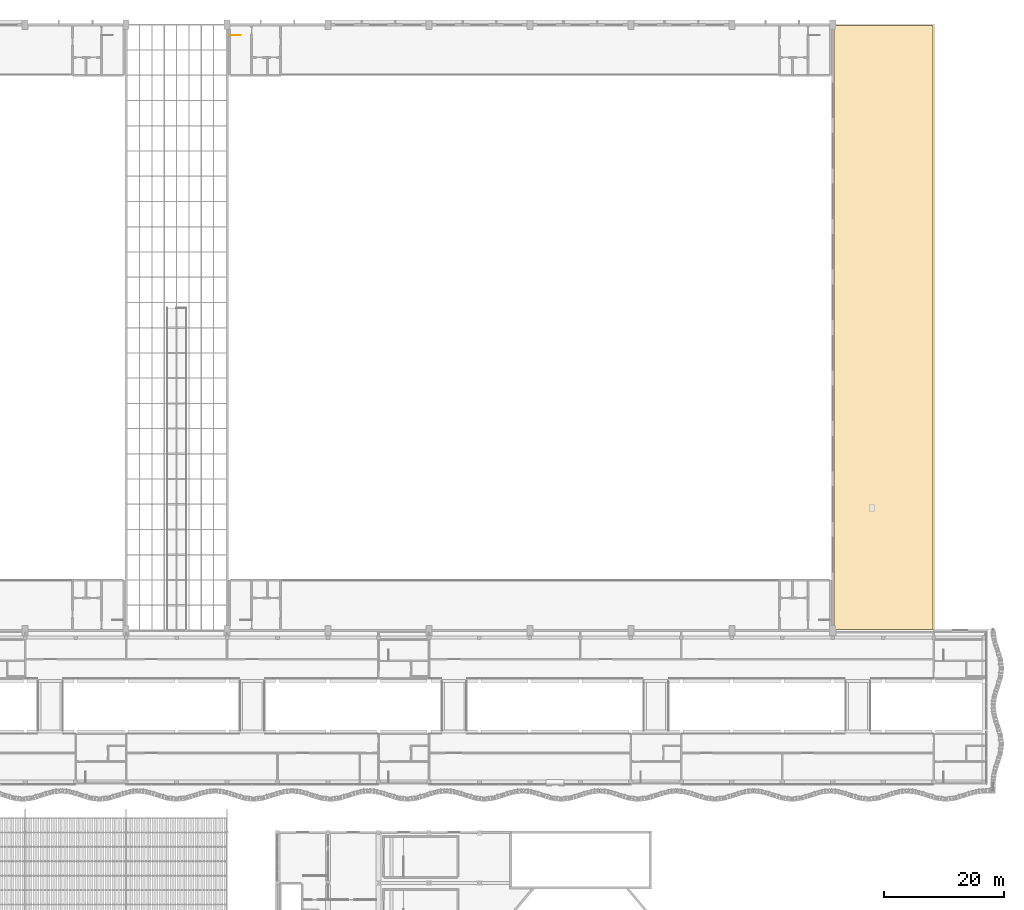
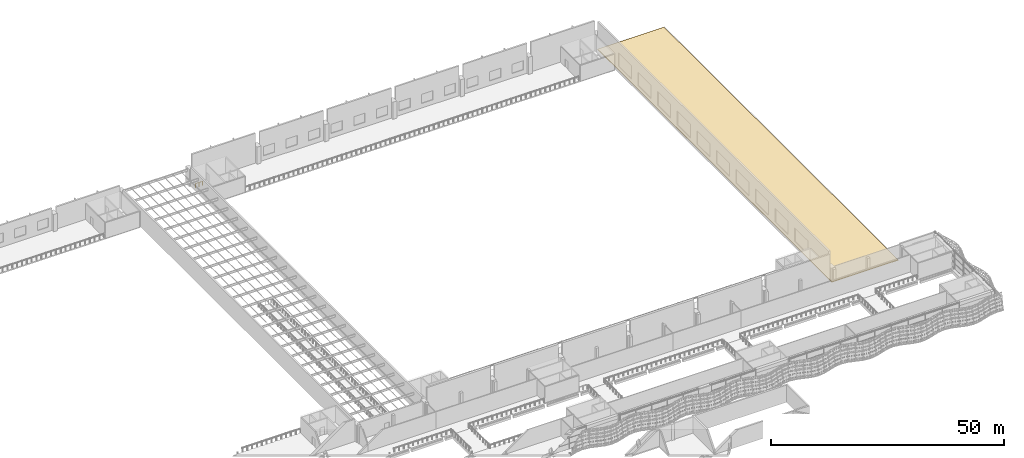
# One storey, part 157 of 162: 1 covering, 1 railing.
"""IFC4 building model written with IfcOpenShell, lengths in metres."""

from ifc_helpers import new_model, si_unit, direction, frame, origin, origin_2d, place, context, subcontext, project, spatial, polyline, circle, outline, extrude, material, layer, layer_set, type_object, element, save


model = new_model("IFC4")

# Units and contexts
model_context = context("Model", 3, precision=1e-05, world=origin(), true_north=direction((0.0, 1.0)))
body_context = subcontext(model_context, "Body", "Model", "MODEL_VIEW")
ifc_project = project(units=[si_unit("LENGTHUNIT", "METRE"), si_unit("AREAUNIT", "SQUARE_METRE"), si_unit("VOLUMEUNIT", "CUBIC_METRE"), si_unit("PLANEANGLEUNIT", "RADIAN"), si_unit("MASSUNIT", "GRAM", prefix="KILO")], contexts=[model_context])

# Site, building, storey
site_placement = place(None, origin())
site = spatial("IfcSite", under=ifc_project, at=site_placement, CompositionType="ELEMENT")
building_placement = place(site_placement, origin())
building = spatial("IfcBuilding", under=site, at=building_placement, Name="Rain Tree Exposition and Congress Centre", CompositionType="ELEMENT")
storey_placement = place(building_placement, frame((0.0, 0.0, 6.0)))
storey = spatial("IfcBuildingStorey", under=building, at=storey_placement, Name="L01", CompositionType="ELEMENT", Elevation=6.0)

# Covering
ifc_material_1 = material(Name="Planting substrate", Category="soil")
ifc_layer = layer(ifc_material_1, 0.14990234375)
ifc_layer_set = layer_set([ifc_layer], Name="Planting substrate")
covering_type = type_object("IfcCoveringType", Name="Planting substrate layer 150", PredefinedType="ROOFING", material=ifc_layer_set)
covering_placement = place(storey_placement, origin())
element("IfcCovering", 1, at=covering_placement, inside=storey, type_object=covering_type, Name="Planted roof substrate", PredefinedType="ROOFING", context=body_context, shape_type="SweptSolid", body=[
    extrude(outline(polyline([(243.800048828125, 100.949951171875), (260.25, 100.949951171875), (260.25, 201.449951171875), (243.800048828125, 201.449951171875), (243.800048828125, 100.949951171875)])), origin(), (0.0, 0.0, 1.0), 0.14990234375),
])

# Railing
ifc_material_2 = material(Name="Steel S355J2H", Category="steel")
railing_type = type_object("IfcRailingType", Name="Stair guard 1100", PredefinedType="GUARDRAIL", material=ifc_material_2)
railing_placement = place(storey_placement, frame((143.300048828125, 199.85009765625, 0.0)))
element("IfcRailing", 2, at=railing_placement, inside=storey, type_object=railing_type, Name="L01 ST-H7 top well guard 1", PredefinedType="GUARDRAIL", context=body_context, shape_type="SweptSolid", body=[
    extrude(circle(Radius=0.02392578125, at=origin_2d()), frame((0.0, 0.0, 1.076171875), z_axis=(1.0, 0.0, 0.0), x_axis=(0.0, 1.0, 0.0)), (0.0, 0.0, 1.0), 1.75),
    extrude(circle(Radius=0.02099609375, at=origin_2d()), origin(), (0.0, 0.0, 1.0), 1.052001953125),
    extrude(circle(Radius=0.02099609375, at=origin_2d()), frame((0.875, 0.0, 0.0)), (0.0, 0.0, 1.0), 1.052001953125),
    extrude(circle(Radius=0.02099609375, at=origin_2d()), frame((1.75, 0.0, 0.0)), (0.0, 0.0, 1.0), 1.052001953125),
])

save(model, "model.ifc")
